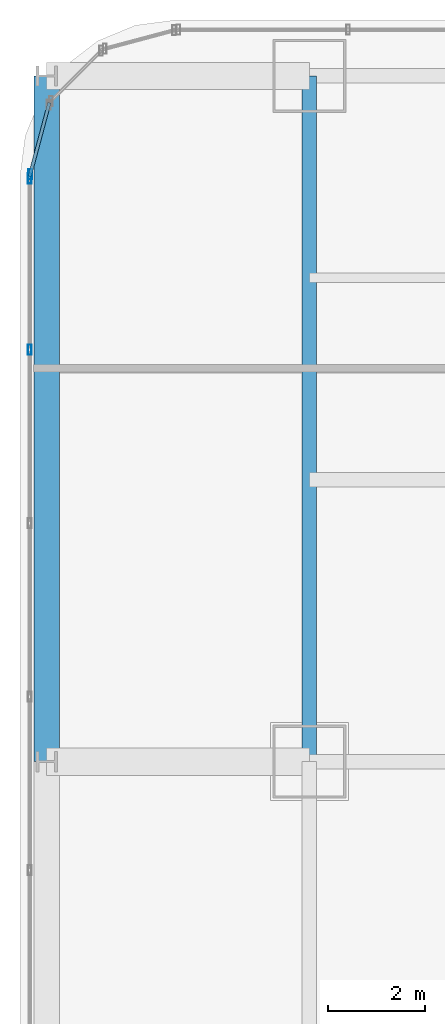
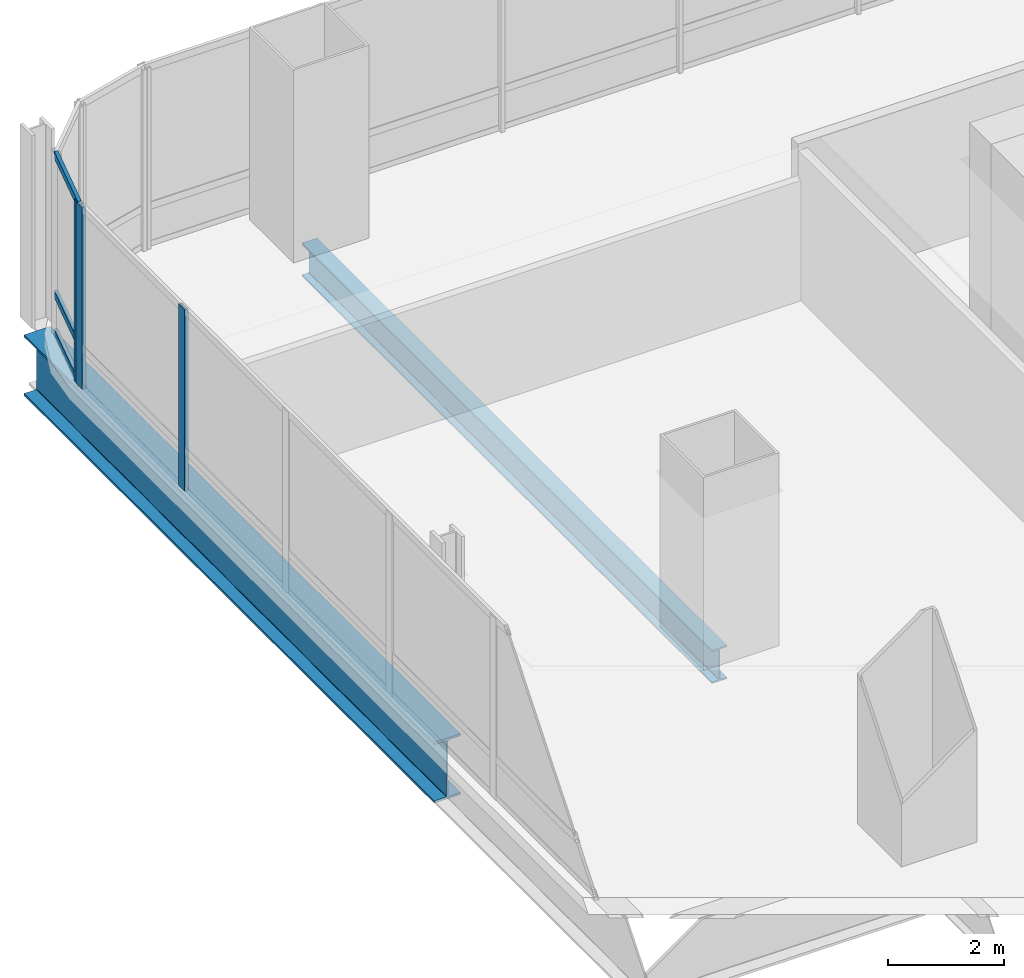
# One storey, part 18 of 35: 6 members, 2 beams, 2 elements without a shape of their own.
"""IFC4 building model written with IfcOpenShell, lengths in metres."""

from ifc_helpers import new_model, si_unit, direction, frame, origin, origin_2d, place, context, subcontext, project, spatial, hollow_rectangle, i_section, extrude, material, material_profile, profile_set, type_object, element, aggregate, save


model = new_model("IFC4")

# Units and contexts
model_context = context("Model", 3, precision=1e-05, world=origin(), true_north=direction((0.0, 1.0)))
body_context = subcontext(model_context, "Body", "Model", "MODEL_VIEW")
ifc_project = project(units=[si_unit("LENGTHUNIT", "METRE"), si_unit("AREAUNIT", "SQUARE_METRE"), si_unit("VOLUMEUNIT", "CUBIC_METRE"), si_unit("PLANEANGLEUNIT", "RADIAN"), si_unit("MASSUNIT", "GRAM", prefix="KILO")], contexts=[model_context])

# Site, building, storey
site_placement = place(None, origin())
site = spatial("IfcSite", under=ifc_project, at=site_placement, CompositionType="ELEMENT")
building_placement = place(site_placement, origin())
building = spatial("IfcBuilding", under=site, at=building_placement, Name="Punatoya Terracotta Tower", CompositionType="ELEMENT")
storey_placement = place(building_placement, frame((0.0, 0.0, 52.5)))
storey = spatial("IfcBuildingStorey", under=building, at=storey_placement, Name="L11", CompositionType="ELEMENT", Elevation=52.5)

# Beams
ifc_material_1 = material(Name="Steel S355", Category="steel")
ifc_material_profile_1 = material_profile(ifc_material_1, i_section(OverallWidth=0.300048828125, OverallDepth=0.699951171875, WebThickness=0.01708984375, FlangeThickness=0.031982421875, FilletRadius=0.01806640625, at=origin_2d()))
ifc_profile_set_1 = profile_set([ifc_material_profile_1], Name="Steel S355")
beam_type_1 = type_object("IfcBeamType", Name="BM-PRI-700", PredefinedType="BEAM", material=ifc_profile_set_1)
beam_1_placement = place(storey_placement, frame((-19.10009765625, 3.39990234375, -0.590087890625), z_axis=(0.0, 1.0, 0.0), x_axis=(-1.0, 0.0, 0.0)))
element("IfcBeam", 1, at=beam_1_placement, inside=storey, type_object=beam_type_1, Name="BM-L11-RG-W3", PredefinedType="BEAM", context=body_context, shape_type="SweptSolid", body=[
    extrude(i_section(OverallWidth=0.300048828125, OverallDepth=0.699951171875, WebThickness=0.01708984375, FlangeThickness=0.031982421875, FilletRadius=0.01806640625, at=origin_2d()), origin(), (0.0, 0.0, 1.0), 14.10009765625),
])
ifc_material_2 = material(Name="Steel S460", Category="steel")
ifc_material_profile_2 = material_profile(ifc_material_2, i_section(OverallWidth=0.52001953125, OverallDepth=1.280029296875, WebThickness=0.031982421875, FlangeThickness=0.050048828125, FilletRadius=0.01806640625, at=origin_2d()))
ifc_profile_set_2 = profile_set([ifc_material_profile_2], Name="Steel S460")
beam_type_2 = type_object("IfcBeamType", Name="BM-TG-NCK", PredefinedType="BEAM", material=ifc_profile_set_2)
beam_2_placement = place(storey_placement, frame((-24.5, 3.39990234375, -0.8798828125), z_axis=(0.0, 1.0, 0.0), x_axis=(-1.0, 0.0, 0.0)))
element("IfcBeam", 2, at=beam_2_placement, inside=storey, type_object=beam_type_2, Name="BM-L11-PER-W3", PredefinedType="BEAM", context=body_context, shape_type="SweptSolid", body=[
    extrude(i_section(OverallWidth=0.52001953125, OverallDepth=1.280029296875, WebThickness=0.031982421875, FlangeThickness=0.050048828125, FilletRadius=0.01806640625, at=origin_2d()), origin(), (0.0, 0.0, 1.0), 14.10009765625),
])

# Curtain wall, member
ifc_material_3 = material(Name="Aluminium 6063-T6 + Double Low-E Glass", Category="aluminium")
curtain_wall_type = type_object("IfcCurtainWallType", Name="CW-M1", PredefinedType="NOTDEFINED", material=ifc_material_3)
curtain_wall_1_placement = place(storey_placement, origin())
curtain_wall_1 = element("IfcCurtainWall", 3, at=curtain_wall_1_placement, inside=storey, type_object=curtain_wall_type, Name="L11 Curtain Wall CW-L11-CRN12", PredefinedType="NOTDEFINED")
ifc_material_4 = material(Name="Aluminium 6063-T6", Category="aluminium")
ifc_material_profile_3 = material_profile(ifc_material_4, hollow_rectangle(XDim=0.074951171875, YDim=0.2099609375, WallThickness=0.00439453125, at=origin_2d()))
ifc_profile_set_3 = profile_set([ifc_material_profile_3], Name="Aluminium 6063-T6")
member_type_1 = type_object("IfcMemberType", Name="CW-MUL-M1", PredefinedType="MULLION", material=ifc_profile_set_3)
member_1_placement = place(storey_placement, frame((-24.83837890625, 15.48046875, 0.0), z_axis=(0.0, 0.0, 1.0), x_axis=(1.0, 0.0, 0.0)))
member_1 = element("IfcMember", 4, at=member_1_placement, type_object=member_type_1, Name="CW-L11-CRN12 Mullion 01", PredefinedType="MULLION", context=body_context, shape_type="SweptSolid", body=[
    extrude(hollow_rectangle(XDim=0.074951171875, YDim=0.2099609375, WallThickness=0.00439453125, at=origin_2d()), origin(), (0.0, 0.0, 1.0), 3.81005859375),
])

# Curtain wall, members
curtain_wall_2_placement = place(storey_placement, origin())
curtain_wall_2 = element("IfcCurtainWall", 5, at=curtain_wall_2_placement, inside=storey, type_object=curtain_wall_type, Name="L11 Curtain Wall CW-L11-W13-1", PredefinedType="NOTDEFINED")
member_2_placement = place(storey_placement, frame((-24.85009765625, 15.391845703125, 0.0), z_axis=(0.0, 0.0, 1.0), x_axis=(1.0, 0.0, 0.0)))
member_2 = element("IfcMember", 6, at=member_2_placement, type_object=member_type_1, Name="CW-L11-W13-1 Mullion 00", PredefinedType="MULLION", context=body_context, shape_type="SweptSolid", body=[
    extrude(hollow_rectangle(XDim=0.074951171875, YDim=0.2099609375, WallThickness=0.00439453125, at=origin_2d()), origin(), (0.0, 0.0, 1.0), 3.81005859375),
])
member_3_placement = place(storey_placement, frame((-24.85009765625, 11.869384765625, 0.0), z_axis=(0.0, 0.0, 1.0), x_axis=(1.0, 0.0, 0.0)))
member_3 = element("IfcMember", 7, at=member_3_placement, type_object=member_type_1, Name="CW-L11-W13-1 Mullion 01", PredefinedType="MULLION", context=body_context, shape_type="SweptSolid", body=[
    extrude(hollow_rectangle(XDim=0.074951171875, YDim=0.2099609375, WallThickness=0.00439453125, at=origin_2d()), origin(), (0.0, 0.0, 1.0), 3.81005859375),
])
aggregate(curtain_wall_2, [member_2, member_3])

# Member
ifc_material_profile_4 = material_profile(ifc_material_4, hollow_rectangle(XDim=0.068115234375, YDim=0.14990234375, WallThickness=0.00390625, at=origin_2d()))
ifc_profile_set_4 = profile_set([ifc_material_profile_4], Name="Aluminium 6063-T6")
member_type_2 = type_object("IfcMemberType", Name="CW-TRN-TYP", PredefinedType="USERDEFINED", material=ifc_profile_set_4)
member_4_placement = place(storey_placement, frame((-24.446533203125, 16.94921875, 0.0400390625), z_axis=(-0.257847112249, -0.966185730957, 0.0), x_axis=(0.966185730957, -0.257847112249, 0.0)))
member_4 = element("IfcMember", 8, at=member_4_placement, type_object=member_type_2, Name="CW-L11-CRN12 Transom 1", ObjectType="TRANSOM", PredefinedType="USERDEFINED", context=body_context, shape_type="SweptSolid", body=[
    extrude(hollow_rectangle(XDim=0.068115234375, YDim=0.14990234375, WallThickness=0.00390625, at=origin_2d()), origin(), (0.0, 0.0, 1.0), 1.565185546875),
])

member_5_placement = place(storey_placement, frame((-24.446533203125, 16.94921875, 0.85009765625), z_axis=(-0.257847112249, -0.966185730957, 0.0), x_axis=(0.966185730957, -0.257847112249, 0.0)))
member_5 = element("IfcMember", 9, at=member_5_placement, type_object=member_type_2, Name="CW-L11-CRN12 Transom 2", ObjectType="TRANSOM", PredefinedType="USERDEFINED", context=body_context, shape_type="SweptSolid", body=[
    extrude(hollow_rectangle(XDim=0.068115234375, YDim=0.14990234375, WallThickness=0.00390625, at=origin_2d()), origin(), (0.0, 0.0, 1.0), 1.565185546875),
])

member_6_placement = place(storey_placement, frame((-24.446533203125, 16.94921875, 3.77001953125), z_axis=(-0.257847112249, -0.966185730957, 0.0), x_axis=(0.966185730957, -0.257847112249, 0.0)))
member_6 = element("IfcMember", 10, at=member_6_placement, type_object=member_type_2, Name="CW-L11-CRN12 Transom 3", ObjectType="TRANSOM", PredefinedType="USERDEFINED", context=body_context, shape_type="SweptSolid", body=[
    extrude(hollow_rectangle(XDim=0.068115234375, YDim=0.14990234375, WallThickness=0.00390625, at=origin_2d()), origin(), (0.0, 0.0, 1.0), 1.565185546875),
])

aggregate(curtain_wall_1, [member_1, member_4, member_5, member_6])

save(model, "model.ifc")
